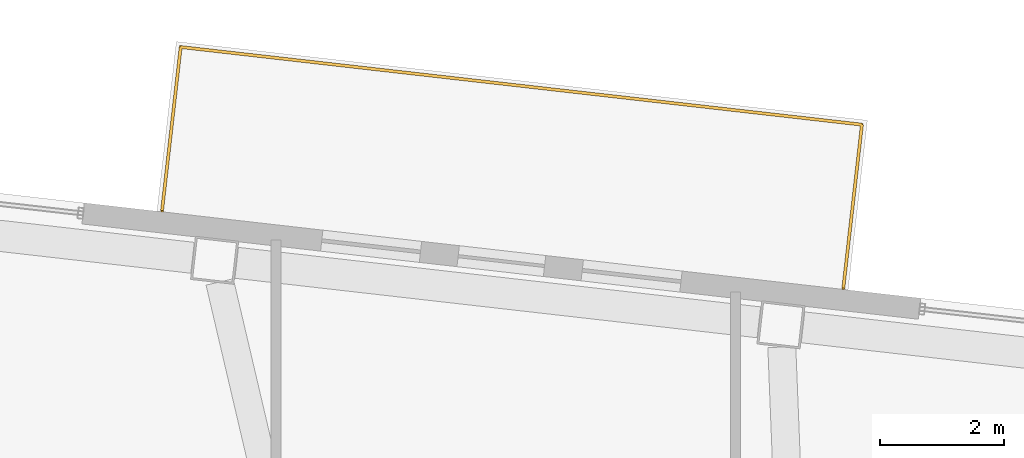
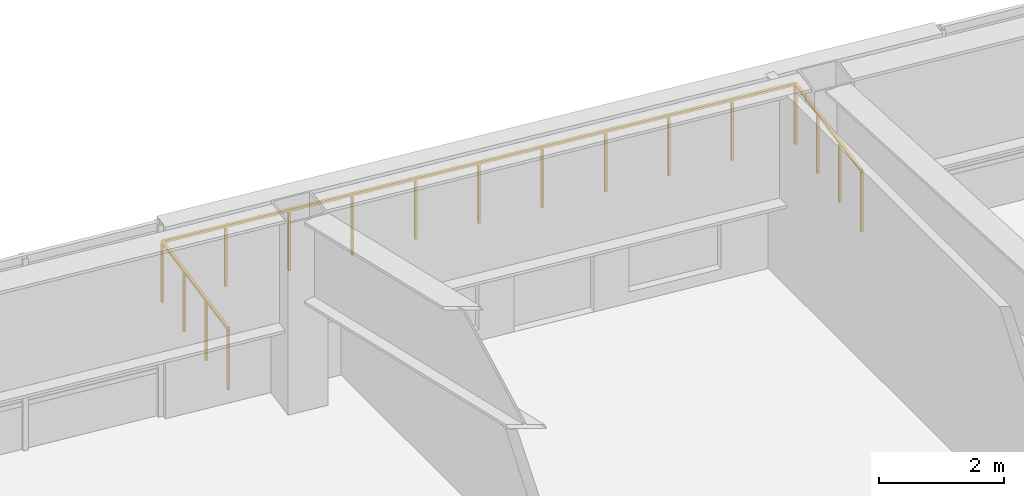
# One storey, part 21 of 21: 1 railing.
"""IFC4 building model written with IfcOpenShell, lengths in metres."""

from ifc_helpers import new_model, si_unit, direction, frame, origin, origin_2d, place, context, subcontext, project, spatial, rectangle, extrude, material, layer, layer_set, type_object, element, save


model = new_model("IFC4")

# Units and contexts
model_context = context("Model", 3, precision=1e-05, world=origin(), true_north=direction((0.0, 1.0)))
body_context = subcontext(model_context, "Body", "Model", "MODEL_VIEW")
ifc_project = project(units=[si_unit("LENGTHUNIT", "METRE"), si_unit("AREAUNIT", "SQUARE_METRE"), si_unit("VOLUMEUNIT", "CUBIC_METRE"), si_unit("PLANEANGLEUNIT", "RADIAN"), si_unit("MASSUNIT", "GRAM", prefix="KILO")], contexts=[model_context])

# Site, building, storey
site_placement = place(None, origin())
site = spatial("IfcSite", under=ifc_project, at=site_placement, CompositionType="ELEMENT")
building_placement = place(site_placement, origin())
building = spatial("IfcBuilding", under=site, at=building_placement, Name="Tavrogorsk Clinical Tower", CompositionType="ELEMENT")
storey_placement = place(building_placement, frame((0.0, 0.0, 89.39990234375)))
storey = spatial("IfcBuildingStorey", under=building, at=storey_placement, Name="L19", CompositionType="ELEMENT", Elevation=89.39990234375)

# Railing
ifc_material = material(Name="Stainless steel AISI 316 and laminated glass balustrade", Category="steel")
ifc_layer = layer(ifc_material, 0.090087890625)
ifc_layer_set = layer_set([ifc_layer], Name="Stainless steel AISI 316 and laminated glass balustrade")
railing_type = type_object("IfcRailingType", Name="TerraceGuardRailing_1200", PredefinedType="BALUSTRADE", material=ifc_layer_set)
railing_placement = place(storey_placement, frame((-0.27490234375, 23.4853515625, 0.0)))
element("IfcRailing", 1, at=railing_placement, inside=storey, type_object=railing_type, Name="L19 Spiralling Terrace Balustrade GD-01", PredefinedType="BALUSTRADE", context=body_context, shape_type="SweptSolid", body=[
    extrude(rectangle(XDim=0.048095703125, YDim=0.048095703125, at=origin_2d()), frame((0.0, 0.0, 1.17578125), z_axis=(0.113221808681, 0.993569736878, 0.0), x_axis=(-0.993569736878, 0.113221808681, 0.0)), (0.0, 0.0, 1.0), 2.650146484375),
    extrude(rectangle(XDim=0.048095703125, YDim=0.048095703125, at=origin_2d()), frame((0.300048828125, 2.633056640625, 1.17578125), z_axis=(0.993571887876, -0.113202931159, 0.0), x_axis=(0.113202931159, 0.993571887876, 0.0)), (0.0, 0.0, 1.0), 11.0400390625),
    extrude(rectangle(XDim=0.048095703125, YDim=0.048095703125, at=origin_2d()), frame((11.26904296875, 1.38330078125, 1.17578125), z_axis=(-0.113130863078, -0.993580096328, 0.0), x_axis=(0.993580096328, -0.113130863078, 0.0)), (0.0, 0.0, 1.0), 2.650146484375),
    extrude(rectangle(XDim=0.0419921875, YDim=0.0419921875, at=origin_2d()), origin(), (0.0, 0.0, 1.0), 1.15185546875),
    extrude(rectangle(XDim=0.0419921875, YDim=0.0419921875, at=origin_2d()), frame((0.10009765625, 0.877685546875, 0.0)), (0.0, 0.0, 1.0), 1.15185546875),
    extrude(rectangle(XDim=0.0419921875, YDim=0.0419921875, at=origin_2d()), frame((0.199951171875, 1.75537109375, 0.0)), (0.0, 0.0, 1.0), 1.15185546875),
    extrude(rectangle(XDim=0.0419921875, YDim=0.0419921875, at=origin_2d()), frame((0.300048828125, 2.633056640625, 0.0)), (0.0, 0.0, 1.0), 1.15185546875),
    extrude(rectangle(XDim=0.0419921875, YDim=0.0419921875, at=origin_2d()), frame((1.39697265625, 2.508056640625, 0.0)), (0.0, 0.0, 1.0), 1.15185546875),
    extrude(rectangle(XDim=0.0419921875, YDim=0.0419921875, at=origin_2d()), frame((2.493896484375, 2.383056640625, 0.0)), (0.0, 0.0, 1.0), 1.15185546875),
    extrude(rectangle(XDim=0.0419921875, YDim=0.0419921875, at=origin_2d()), frame((3.5908203125, 2.258056640625, 0.0)), (0.0, 0.0, 1.0), 1.15185546875),
    extrude(rectangle(XDim=0.0419921875, YDim=0.0419921875, at=origin_2d()), frame((4.687744140625, 2.133056640625, 0.0)), (0.0, 0.0, 1.0), 1.15185546875),
    extrude(rectangle(XDim=0.0419921875, YDim=0.0419921875, at=origin_2d()), frame((5.78466796875, 2.00830078125, 0.0)), (0.0, 0.0, 1.0), 1.15185546875),
    extrude(rectangle(XDim=0.0419921875, YDim=0.0419921875, at=origin_2d()), frame((6.88134765625, 1.88330078125, 0.0)), (0.0, 0.0, 1.0), 1.15185546875),
    extrude(rectangle(XDim=0.0419921875, YDim=0.0419921875, at=origin_2d()), frame((7.978271484375, 1.75830078125, 0.0)), (0.0, 0.0, 1.0), 1.15185546875),
    extrude(rectangle(XDim=0.0419921875, YDim=0.0419921875, at=origin_2d()), frame((9.0751953125, 1.63330078125, 0.0)), (0.0, 0.0, 1.0), 1.15185546875),
    extrude(rectangle(XDim=0.0419921875, YDim=0.0419921875, at=origin_2d()), frame((10.172119140625, 1.50830078125, 0.0)), (0.0, 0.0, 1.0), 1.15185546875),
    extrude(rectangle(XDim=0.0419921875, YDim=0.0419921875, at=origin_2d()), frame((11.26904296875, 1.38330078125, 0.0)), (0.0, 0.0, 1.0), 1.15185546875),
    extrude(rectangle(XDim=0.0419921875, YDim=0.0419921875, at=origin_2d()), frame((11.169189453125, 0.505615234375, 0.0)), (0.0, 0.0, 1.0), 1.15185546875),
    extrude(rectangle(XDim=0.0419921875, YDim=0.0419921875, at=origin_2d()), frame((11.069091796875, -0.3720703125, 0.0)), (0.0, 0.0, 1.0), 1.15185546875),
    extrude(rectangle(XDim=0.0419921875, YDim=0.0419921875, at=origin_2d()), frame((10.96923828125, -1.249755859375, 0.0)), (0.0, 0.0, 1.0), 1.15185546875),
])

save(model, "model.ifc")
